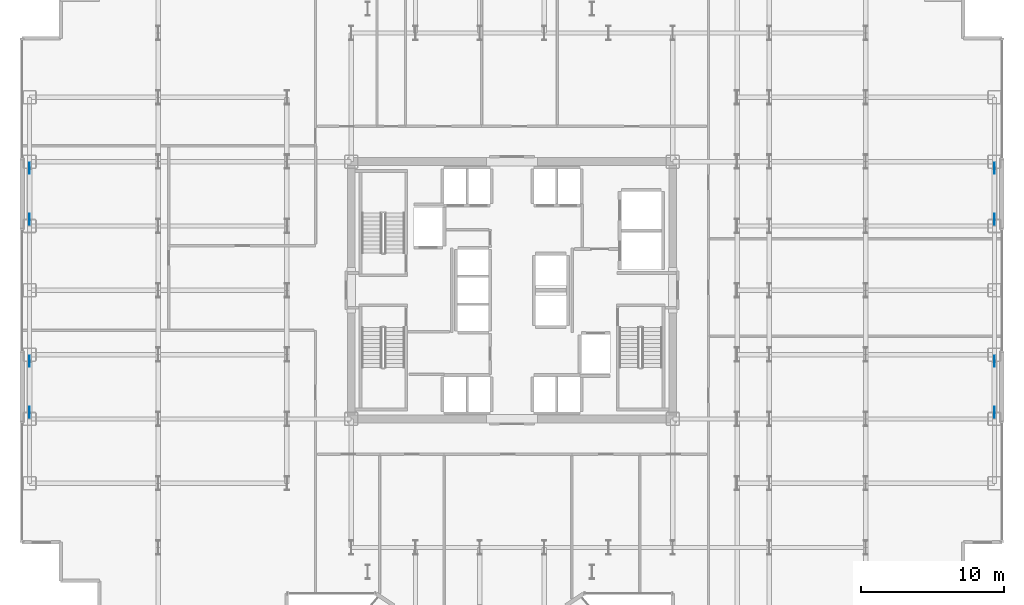
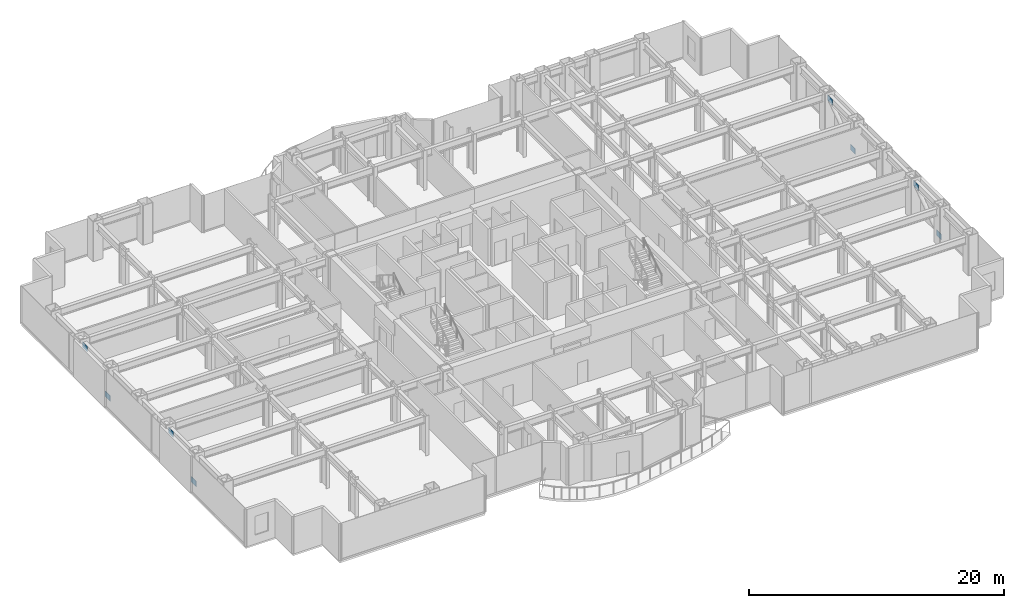
# One storey, part 21 of 28: 8 plates.
"""IFC4 building model written with IfcOpenShell, lengths in metres."""

from ifc_helpers import new_model, si_unit, direction, frame, origin, origin_2d, place, context, subcontext, project, spatial, rectangle, extrude, source, transform, mapped, material, layer, layer_set, type_object, element, save


model = new_model("IFC4")

# Units and contexts
model_context = context("Model", 3, precision=1e-05, world=origin(), true_north=direction((0.0, 1.0)))
body_context = subcontext(model_context, "Body", "Model", "MODEL_VIEW")
ifc_project = project(units=[si_unit("LENGTHUNIT", "METRE"), si_unit("AREAUNIT", "SQUARE_METRE"), si_unit("VOLUMEUNIT", "CUBIC_METRE"), si_unit("PLANEANGLEUNIT", "RADIAN"), si_unit("MASSUNIT", "GRAM", prefix="KILO")], contexts=[model_context])

# Site, building, storey
site_placement = place(None, origin())
site = spatial("IfcSite", under=ifc_project, at=site_placement, CompositionType="ELEMENT")
building_placement = place(site_placement, origin())
building = spatial("IfcBuilding", under=site, at=building_placement, Name="Nefas-Gora Pilgrimage Tower", CompositionType="ELEMENT")
storey_placement = place(building_placement, frame((0.0, 0.0, 102.199951171875)))
storey = spatial("IfcBuildingStorey", under=building, at=storey_placement, Name="L24", CompositionType="ELEMENT", Elevation=102.199951171875)

# Plates
ifc_material = material(Name="Steel S460", Category="steel")
ifc_layer = layer(ifc_material, 0.048095703125)
ifc_layer_set = layer_set([ifc_layer], Name="Steel S460")
plate_type = type_object("IfcPlateType", Name="PLT-NODE-N07", PredefinedType="USERDEFINED", material=ifc_layer_set)
shared_shape = source(origin(), body_context, "Body", "SweptSolid", [
    extrude(rectangle(XDim=0.780029296875, YDim=0.0380859375, at=origin_2d()), origin(), (0.0, 0.0, 1.0), 0.5400390625),
])
for number, where, z_axis, x_axis, name in (
    (1, (-33.75, -8.537109375, 0.21142578125), (0.0, 0.0, 1.0), (0.0, 1.0, 0.0), "Structural Node Gusset Plate N07 (L24)"),
    (2, (-33.75, -4.962890625, 2.768798828125), (0.0, 0.0, 1.0), (0.0, 1.0, 0.0), "Structural Node Gusset Plate N07 (L24)"),
    (3, (-33.75, 4.962890625, 0.21142578125), (0.0, 0.0, 1.0), (0.0, 1.0, 0.0), "Structural Node Gusset Plate N07 (L24)"),
    (4, (-33.75, 8.537109375, 2.768798828125), (0.0, 0.0, 1.0), (0.0, 1.0, 0.0), "Structural Node Gusset Plate N07 (L24)"),
    (5, (33.75, -8.537109375, 0.21142578125), (0.0, 0.0, 1.0), (0.0, 1.0, 0.0), "Structural Node Gusset Plate N07 (L24)"),
    (6, (33.75, -4.962890625, 2.768798828125), (0.0, 0.0, 1.0), (0.0, 1.0, 0.0), "Structural Node Gusset Plate N07 (L24)"),
    (7, (33.75, 4.962890625, 0.21142578125), (0.0, 0.0, 1.0), (0.0, 1.0, 0.0), "Structural Node Gusset Plate N07 (L24)"),
    (8, (33.75, 8.537109375, 2.768798828125), (0.0, 0.0, 1.0), (0.0, 1.0, 0.0), "Structural Node Gusset Plate N07 (L24)"),
):
    element("IfcPlate", number, at=place(storey_placement, frame(where, z_axis=z_axis, x_axis=x_axis)), inside=storey, type_object=plate_type, Name=name, ObjectType="GUSSET_PLATE", PredefinedType="USERDEFINED", context=body_context, shape_type="MappedRepresentation", body=[
        mapped(shared_shape, transform((0.0, 0.0, 0.0), x_axis=(1.0, 0.0, 0.0), y_axis=(0.0, 1.0, 0.0), z_axis=(0.0, 0.0, 1.0), scale=1.0)),
    ])

save(model, "model.ifc")
